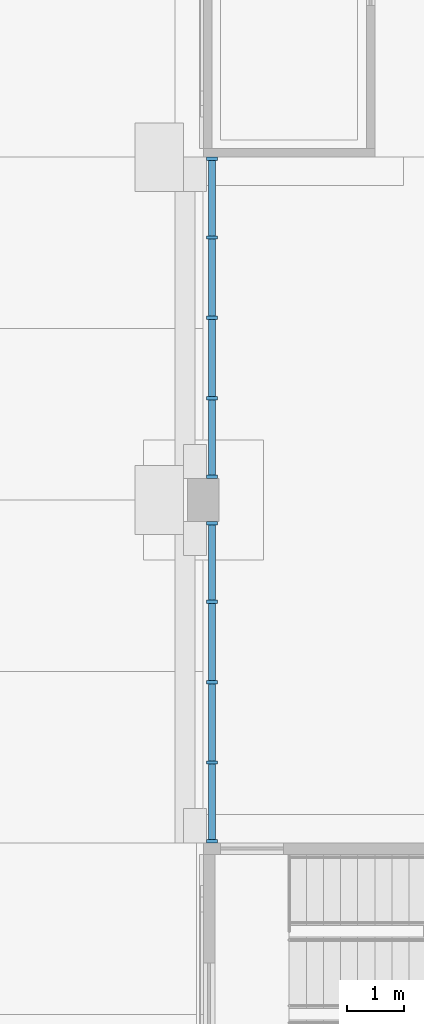
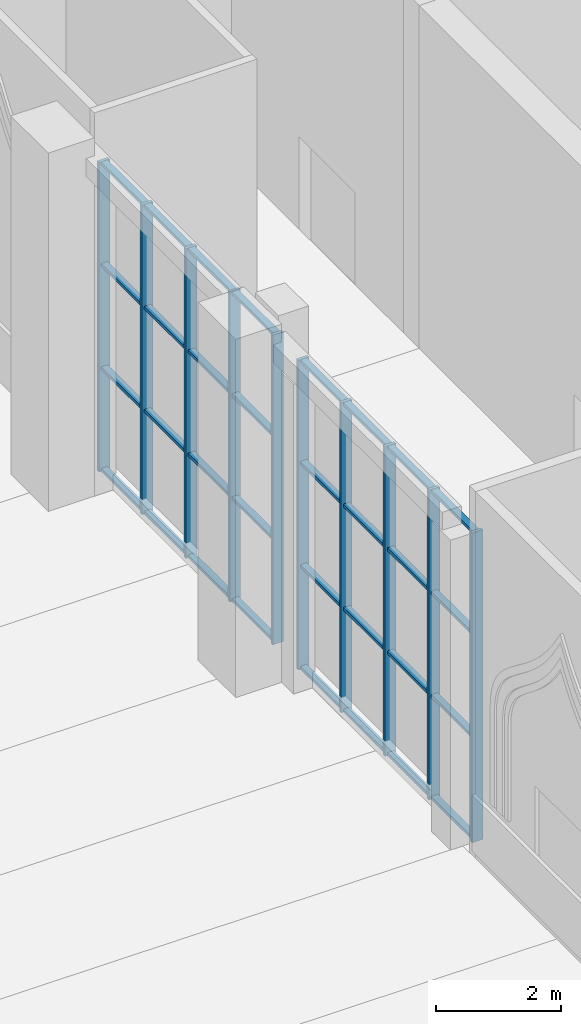
# One storey, part 22 of 95: 42 members, 2 elements without a shape of their own.
"""IFC4 building model written with IfcOpenShell, lengths in metres."""

import ifcopenshell
import ifcopenshell.guid

model = None  # the IFC model being written
_history = None  # IfcOwnerHistory: only IFC2X3 demands one
_inside = {}  # id of a spatial element -> (the spatial element, [elements in it])
_under = {}  # id of a project, library or spatial element -> (it, [spatial elements below it])
_declared = {}  # id of a project -> (the project, [libraries it declares])
_typed = {}  # id of a type object -> (the type object, [elements of that type])
_made_of = {}  # id of a material, layer set ... -> (it, [elements and type objects made of it])


def new_model(schema):
    """Start an empty IFC model of exactly this schema.

    Asked for "IFC4X3", IfcOpenShell would pick the latest addendum, in which some entities
    have other attributes; the version numbers below select the first issue.
    IFC2X3 requires an IfcOwnerHistory on every rooted entity: one is made here for all.
    """
    global model, _history
    if schema == "IFC4X3":
        model = ifcopenshell.file(schema_version=(4, 3, 0, 0))
    else:
        model = ifcopenshell.file(schema=schema)
    _inside.clear()
    _under.clear()
    _declared.clear()
    _typed.clear()
    _made_of.clear()
    _history = None
    if model.schema == "IFC2X3":
        org = make("IfcOrganization", Name="unknown")
        user = make(
            "IfcPersonAndOrganization",
            ThePerson=make("IfcPerson", FamilyName="unknown"),
            TheOrganization=org,
        )
        app = make(
            "IfcApplication",
            ApplicationDeveloper=org,
            Version="unknown",
            ApplicationFullName="unknown",
            ApplicationIdentifier="unknown",
        )
        _history = make(
            "IfcOwnerHistory",
            OwningUser=user,
            OwningApplication=app,
            ChangeAction="ADDED",
            CreationDate=0,
        )
    return model


def make(cls, **values):
    """One entity of the class cls with the attributes given. An attribute that is None is left unset."""
    return model.create_entity(
        cls, **{name: value for name, value in values.items() if value is not None}
    )


def rooted(cls, **values):
    """An entity with a GlobalId (a new one), such as an element, a storey or a relation."""
    return make(cls, GlobalId=ifcopenshell.guid.new(), OwnerHistory=_history, **values)


def si_unit(unit_type, name, prefix=None):
    """IfcSIUnit, for example si_unit("LENGTHUNIT", "METRE", prefix="MILLI")."""
    return make("IfcSIUnit", UnitType=unit_type, Prefix=prefix, Name=name)


def assignment(units):
    """IfcUnitAssignment: the units of a project."""
    return None if units is None else make("IfcUnitAssignment", Units=units)


def point(xyz):
    """IfcCartesianPoint."""
    return None if xyz is None else make("IfcCartesianPoint", Coordinates=xyz)


def direction(xyz):
    """IfcDirection."""
    return None if xyz is None else make("IfcDirection", DirectionRatios=xyz)


def frame(location, z_axis=None, x_axis=None):
    """IfcAxis2Placement3D, a coordinate frame: its origin and axes. An axis left out is left unset."""
    return make(
        "IfcAxis2Placement3D",
        Location=point(location),
        Axis=direction(z_axis),
        RefDirection=direction(x_axis),
    )


def frame_2d(location, x_axis=None):
    """IfcAxis2Placement2D, a coordinate frame in the plane: its origin and x axis."""
    return make(
        "IfcAxis2Placement2D", Location=point(location), RefDirection=direction(x_axis)
    )


def origin():
    """The frame at (0, 0, 0) with its axes left unset."""
    return frame((0.0, 0.0, 0.0))


def origin_2d():
    """The frame at (0, 0) in the plane with its x axis left unset."""
    return frame_2d((0.0, 0.0))


def place(relative_to, where):
    """IfcLocalPlacement: puts the frame where relative to a parent placement (None: the world)."""
    return make(
        "IfcLocalPlacement", PlacementRelTo=relative_to, RelativePlacement=where
    )


def context(
    kind, dimensions, precision=None, world=None, true_north=None, identifier=None
):
    """IfcGeometricRepresentationContext, for example the 3D "Model" context."""
    return make(
        "IfcGeometricRepresentationContext",
        ContextIdentifier=identifier,
        ContextType=kind,
        CoordinateSpaceDimension=dimensions,
        Precision=precision,
        WorldCoordinateSystem=world,
        TrueNorth=true_north,
    )


def subcontext(parent, identifier, kind, view, scale=None):
    """IfcGeometricRepresentationSubContext, for example "Body" below "Model"."""
    return make(
        "IfcGeometricRepresentationSubContext",
        ContextIdentifier=identifier,
        ContextType=kind,
        ParentContext=parent,
        TargetScale=scale,
        TargetView=view,
    )


def project(units=None, contexts=None):
    """IfcProject with its units and contexts."""
    return rooted(
        "IfcProject",
        Name="project",
        RepresentationContexts=contexts,
        UnitsInContext=assignment(units),
    )


def spatial(cls, under=None, at=None, **own):
    """A site, building, storey or space (cls), placed at a placement, below another one or the project."""
    s = rooted(cls, ObjectPlacement=at, **own)
    if under is not None:
        _under.setdefault(under.id(), (under, []))[1].append(s)
    return s


def profile(cls, at=None, kind="AREA", **sizes):
    """A parametric profile (cls). Its sizes go by their IFC names, for example OverallWidth=200.0."""
    return make(cls, ProfileType=kind, Position=at, **sizes)


def rectangle(**sizes):
    """IfcRectangleProfileDef."""
    return profile("IfcRectangleProfileDef", **sizes)


def extrude(swept, where, along, depth):
    """IfcExtrudedAreaSolid: the profile swept, set in the frame where, extruded along a direction by depth."""
    return make(
        "IfcExtrudedAreaSolid",
        SweptArea=swept,
        Position=where,
        ExtrudedDirection=direction(along),
        Depth=depth,
    )


def shape(context_of_items, identifier, shape_type, items):
    """IfcShapeRepresentation: the items that make up one representation, for example the "Body"."""
    return make(
        "IfcShapeRepresentation",
        ContextOfItems=context_of_items,
        RepresentationIdentifier=identifier,
        RepresentationType=shape_type,
        Items=items,
    )


def material(Name=None, Category=None):
    """IfcMaterial."""
    return make("IfcMaterial", Name=Name, Category=Category)


def material_profile(
    of_material, cross_section, Name=None, Category=None, Priority=None
):
    """IfcMaterialProfile: a cross section and its material."""
    return make(
        "IfcMaterialProfile",
        Name=Name,
        Material=of_material,
        Profile=cross_section,
        Priority=Priority,
        Category=Category,
    )


def profile_set(profiles, Name=None, composite=None):
    """IfcMaterialProfileSet."""
    return make(
        "IfcMaterialProfileSet",
        Name=Name,
        MaterialProfiles=profiles,
        CompositeProfile=composite,
    )


def made_of(thing, what):
    """Note that an element or type object is made of a material, layer set ...; save() writes the relation."""
    if what is not None:
        _made_of.setdefault(what.id(), (what, []))[1].append(thing)
    return thing


def type_object(cls, material=None, **own):
    """A type object (cls), such as IfcWallType, which elements share."""
    return made_of(rooted(cls, **own), material)


def element(
    cls,
    number,
    at=None,
    inside=None,
    cuts=None,
    type_object=None,
    material=None,
    context=None,
    identifier="Body",
    shape_type=None,
    held_by="IfcProductDefinitionShape",
    body=None,
    shapes=None,
    **own,
):
    """One element of the class cls, such as IfcWall. Its Tag is "e" and its number.

    at: its placement. inside: the storey or other place that contains it. cuts: it is an
    opening in that element (IfcRelVoidsElement). A single representation is given by context,
    identifier, shape_type and body (its items); several are given by shapes. held_by: the class
    of the entity that holds the representations. save() writes the other relations.
    """
    e = rooted(cls, Tag="e%d" % number, ObjectPlacement=at, **own)
    if body is not None:
        shapes = [shape(context, identifier, shape_type, body)]
    if shapes is not None:
        e.Representation = make(held_by, Representations=shapes)
    if inside is not None:
        _inside.setdefault(inside.id(), (inside, []))[1].append(e)
    if cuts is not None:
        rooted(
            "IfcRelVoidsElement", RelatingBuildingElement=cuts, RelatedOpeningElement=e
        )
    if type_object is not None:
        _typed.setdefault(type_object.id(), (type_object, []))[1].append(e)
    return made_of(e, material)


def aggregate(whole, parts):
    """IfcRelAggregates: a whole, such as a stair, and the parts it consists of."""
    return rooted("IfcRelAggregates", RelatingObject=whole, RelatedObjects=parts)


def save(model, path):
    """Write the relations noted so far, then the file.

    IfcRelAggregates (storeys below a building ...), IfcRelContainedInSpatialStructure (elements
    in a storey), IfcRelDefinesByType, IfcRelAssociatesMaterial and IfcRelDeclares: one each for
    every whole, place, type object, material and project.
    """
    for whole, parts in _under.values():
        aggregate(whole, parts)
    for where, things in _inside.values():
        rooted(
            "IfcRelContainedInSpatialStructure",
            RelatedElements=things,
            RelatingStructure=where,
        )
    for kind, things in _typed.values():
        rooted("IfcRelDefinesByType", RelatedObjects=things, RelatingType=kind)
    for what, things in _made_of.values():
        rooted("IfcRelAssociatesMaterial", RelatedObjects=things, RelatingMaterial=what)
    for by, libraries in _declared.values():
        rooted("IfcRelDeclares", RelatingContext=by, RelatedDefinitions=libraries)
    model.write(path)


model = new_model("IFC4")

# Units and contexts
model_context = context("Model", 3, precision=1e-05, world=origin(), true_north=direction((0.0, 1.0)))
body_context = subcontext(model_context, "Body", "Model", "MODEL_VIEW")
ifc_project = project(units=[si_unit("LENGTHUNIT", "METRE"), si_unit("AREAUNIT", "SQUARE_METRE"), si_unit("VOLUMEUNIT", "CUBIC_METRE"), si_unit("PLANEANGLEUNIT", "RADIAN"), si_unit("MASSUNIT", "GRAM", prefix="KILO")], contexts=[model_context])

# Site, building, storey
site_placement = place(None, origin())
site = spatial("IfcSite", under=ifc_project, at=site_placement, CompositionType="ELEMENT")
building_placement = place(site_placement, origin())
building = spatial("IfcBuilding", under=site, at=building_placement, Name="Saffron Lane Theatres", CompositionType="ELEMENT")
storey_placement = place(building_placement, origin())
storey = spatial("IfcBuildingStorey", under=building, at=storey_placement, Name="L00", CompositionType="ELEMENT", Elevation=0.0)

# Curtain wall, members
ifc_material_1 = material(Name="Aluminium", Category="aluminium")
curtain_wall_type = type_object("IfcCurtainWallType", Name="EX-CURTAIN WALL 5620x6050x200", PredefinedType="NOTDEFINED", material=ifc_material_1)
curtain_wall_1_placement = place(storey_placement, origin())
curtain_wall_1 = element("IfcCurtainWall", 1, at=curtain_wall_1_placement, inside=storey, type_object=curtain_wall_type, Name="Curtain wall L00 01", PredefinedType="NOTDEFINED")
ifc_material_2 = material(Name="Aluminium", Category="aluminium")
ifc_material_profile_1 = material_profile(ifc_material_2, rectangle(XDim=0.06005859375, YDim=0.199951171875, at=origin_2d()))
ifc_profile_set_1 = profile_set([ifc_material_profile_1], Name="Aluminium")
member_type_1 = type_object("IfcMemberType", Name="EX-CW MULLION 60x200", PredefinedType="MULLION", material=ifc_profile_set_1)
member_1_placement = place(storey_placement, frame((12.14990234375, 42.030029296875, 0.0), z_axis=(0.0, 0.0, 1.0), x_axis=(0.0, 1.0, 0.0)))
member_1 = element("IfcMember", 2, at=member_1_placement, type_object=member_type_1, Name="CW-00-01 mullion 1", PredefinedType="MULLION", context=body_context, shape_type="SweptSolid", body=[
    extrude(rectangle(XDim=0.06005859375, YDim=0.199951171875, at=origin_2d()), origin(), (0.0, 0.0, 1.0), 6.050048828125),
])
member_2_placement = place(storey_placement, frame((12.14990234375, 43.40625, 0.0), z_axis=(0.0, 0.0, 1.0), x_axis=(0.0, 1.0, 0.0)))
member_2 = element("IfcMember", 3, at=member_2_placement, type_object=member_type_1, Name="CW-00-01 mullion 2", PredefinedType="MULLION", context=body_context, shape_type="SweptSolid", body=[
    extrude(rectangle(XDim=0.06005859375, YDim=0.199951171875, at=origin_2d()), origin(), (0.0, 0.0, 1.0), 6.050048828125),
])
member_3_placement = place(storey_placement, frame((12.14990234375, 44.8125, 0.0), z_axis=(0.0, 0.0, 1.0), x_axis=(0.0, 1.0, 0.0)))
member_3 = element("IfcMember", 4, at=member_3_placement, type_object=member_type_1, Name="CW-00-01 mullion 3", PredefinedType="MULLION", context=body_context, shape_type="SweptSolid", body=[
    extrude(rectangle(XDim=0.06005859375, YDim=0.199951171875, at=origin_2d()), origin(), (0.0, 0.0, 1.0), 6.050048828125),
])
member_4_placement = place(storey_placement, frame((12.14990234375, 46.21875, 0.0), z_axis=(0.0, 0.0, 1.0), x_axis=(0.0, 1.0, 0.0)))
member_4 = element("IfcMember", 5, at=member_4_placement, type_object=member_type_1, Name="CW-00-01 mullion 4", PredefinedType="MULLION", context=body_context, shape_type="SweptSolid", body=[
    extrude(rectangle(XDim=0.06005859375, YDim=0.199951171875, at=origin_2d()), origin(), (0.0, 0.0, 1.0), 6.050048828125),
])
member_5_placement = place(storey_placement, frame((12.14990234375, 47.594970703125, 0.0), z_axis=(0.0, 0.0, 1.0), x_axis=(0.0, 1.0, 0.0)))
member_5 = element("IfcMember", 6, at=member_5_placement, type_object=member_type_1, Name="CW-00-01 mullion 5", PredefinedType="MULLION", context=body_context, shape_type="SweptSolid", body=[
    extrude(rectangle(XDim=0.06005859375, YDim=0.199951171875, at=origin_2d()), origin(), (0.0, 0.0, 1.0), 6.050048828125),
])

curtain_wall_2_placement = place(storey_placement, origin())
curtain_wall_2 = element("IfcCurtainWall", 7, at=curtain_wall_2_placement, inside=storey, type_object=curtain_wall_type, Name="Curtain wall L00 02", PredefinedType="NOTDEFINED")
member_6_placement = place(storey_placement, frame((12.14990234375, 48.405029296875, 0.0), z_axis=(0.0, 0.0, 1.0), x_axis=(0.0, 1.0, 0.0)))
member_6 = element("IfcMember", 8, at=member_6_placement, type_object=member_type_1, Name="CW-00-02 mullion 1", PredefinedType="MULLION", context=body_context, shape_type="SweptSolid", body=[
    extrude(rectangle(XDim=0.06005859375, YDim=0.199951171875, at=origin_2d()), origin(), (0.0, 0.0, 1.0), 6.050048828125),
])
member_7_placement = place(storey_placement, frame((12.14990234375, 49.78125, 0.0), z_axis=(0.0, 0.0, 1.0), x_axis=(0.0, 1.0, 0.0)))
member_7 = element("IfcMember", 9, at=member_7_placement, type_object=member_type_1, Name="CW-00-02 mullion 2", PredefinedType="MULLION", context=body_context, shape_type="SweptSolid", body=[
    extrude(rectangle(XDim=0.06005859375, YDim=0.199951171875, at=origin_2d()), origin(), (0.0, 0.0, 1.0), 6.050048828125),
])
member_8_placement = place(storey_placement, frame((12.14990234375, 51.1875, 0.0), z_axis=(0.0, 0.0, 1.0), x_axis=(0.0, 1.0, 0.0)))
member_8 = element("IfcMember", 10, at=member_8_placement, type_object=member_type_1, Name="CW-00-02 mullion 3", PredefinedType="MULLION", context=body_context, shape_type="SweptSolid", body=[
    extrude(rectangle(XDim=0.06005859375, YDim=0.199951171875, at=origin_2d()), origin(), (0.0, 0.0, 1.0), 6.050048828125),
])
member_9_placement = place(storey_placement, frame((12.14990234375, 52.59375, 0.0), z_axis=(0.0, 0.0, 1.0), x_axis=(0.0, 1.0, 0.0)))
member_9 = element("IfcMember", 11, at=member_9_placement, type_object=member_type_1, Name="CW-00-02 mullion 4", PredefinedType="MULLION", context=body_context, shape_type="SweptSolid", body=[
    extrude(rectangle(XDim=0.06005859375, YDim=0.199951171875, at=origin_2d()), origin(), (0.0, 0.0, 1.0), 6.050048828125),
])
member_10_placement = place(storey_placement, frame((12.14990234375, 53.969970703125, 0.0), z_axis=(0.0, 0.0, 1.0), x_axis=(0.0, 1.0, 0.0)))
member_10 = element("IfcMember", 12, at=member_10_placement, type_object=member_type_1, Name="CW-00-02 mullion 5", PredefinedType="MULLION", context=body_context, shape_type="SweptSolid", body=[
    extrude(rectangle(XDim=0.06005859375, YDim=0.199951171875, at=origin_2d()), origin(), (0.0, 0.0, 1.0), 6.050048828125),
])

# Member
ifc_material_3 = material(Name="Aluminium", Category="aluminium")
ifc_material_profile_2 = material_profile(ifc_material_3, rectangle(XDim=0.1201171875, YDim=0.06005859375, at=origin_2d()))
ifc_profile_set_2 = profile_set([ifc_material_profile_2], Name="Aluminium")
member_type_2 = type_object("IfcMemberType", Name="EX-CW TRANSOM 120x60", PredefinedType="USERDEFINED", material=ifc_profile_set_2)
member_11_placement = place(storey_placement, frame((12.14990234375, 42.06005859375, 0.030029296875), z_axis=(0.0, 1.0, 0.0), x_axis=(-1.0, 0.0, 0.0)))
member_11 = element("IfcMember", 13, at=member_11_placement, type_object=member_type_2, Name="CW-00-01 transom 1.1", ObjectType="TRANSOM", PredefinedType="USERDEFINED", context=body_context, shape_type="SweptSolid", body=[
    extrude(rectangle(XDim=0.1201171875, YDim=0.06005859375, at=origin_2d()), origin(), (0.0, 0.0, 1.0), 1.316162109375),
])

member_12_placement = place(storey_placement, frame((12.14990234375, 42.06005859375, 2.0166015625), z_axis=(0.0, 1.0, 0.0), x_axis=(-1.0, 0.0, 0.0)))
member_12 = element("IfcMember", 14, at=member_12_placement, type_object=member_type_2, Name="CW-00-01 transom 1.2", ObjectType="TRANSOM", PredefinedType="USERDEFINED", context=body_context, shape_type="SweptSolid", body=[
    extrude(rectangle(XDim=0.1201171875, YDim=0.06005859375, at=origin_2d()), origin(), (0.0, 0.0, 1.0), 1.316162109375),
])

member_13_placement = place(storey_placement, frame((12.14990234375, 42.06005859375, 4.033447265625), z_axis=(0.0, 1.0, 0.0), x_axis=(-1.0, 0.0, 0.0)))
member_13 = element("IfcMember", 15, at=member_13_placement, type_object=member_type_2, Name="CW-00-01 transom 1.3", ObjectType="TRANSOM", PredefinedType="USERDEFINED", context=body_context, shape_type="SweptSolid", body=[
    extrude(rectangle(XDim=0.1201171875, YDim=0.06005859375, at=origin_2d()), origin(), (0.0, 0.0, 1.0), 1.316162109375),
])

member_14_placement = place(storey_placement, frame((12.14990234375, 42.06005859375, 6.02001953125), z_axis=(0.0, 1.0, 0.0), x_axis=(-1.0, 0.0, 0.0)))
member_14 = element("IfcMember", 16, at=member_14_placement, type_object=member_type_2, Name="CW-00-01 transom 1.4", ObjectType="TRANSOM", PredefinedType="USERDEFINED", context=body_context, shape_type="SweptSolid", body=[
    extrude(rectangle(XDim=0.1201171875, YDim=0.06005859375, at=origin_2d()), origin(), (0.0, 0.0, 1.0), 1.316162109375),
])

member_15_placement = place(storey_placement, frame((12.14990234375, 43.436279296875, 0.030029296875), z_axis=(0.0, 1.0, 0.0), x_axis=(-1.0, 0.0, 0.0)))
member_15 = element("IfcMember", 17, at=member_15_placement, type_object=member_type_2, Name="CW-00-01 transom 2.1", ObjectType="TRANSOM", PredefinedType="USERDEFINED", context=body_context, shape_type="SweptSolid", body=[
    extrude(rectangle(XDim=0.1201171875, YDim=0.06005859375, at=origin_2d()), origin(), (0.0, 0.0, 1.0), 1.34619140625),
])

member_16_placement = place(storey_placement, frame((12.14990234375, 43.436279296875, 2.0166015625), z_axis=(0.0, 1.0, 0.0), x_axis=(-1.0, 0.0, 0.0)))
member_16 = element("IfcMember", 18, at=member_16_placement, type_object=member_type_2, Name="CW-00-01 transom 2.2", ObjectType="TRANSOM", PredefinedType="USERDEFINED", context=body_context, shape_type="SweptSolid", body=[
    extrude(rectangle(XDim=0.1201171875, YDim=0.06005859375, at=origin_2d()), origin(), (0.0, 0.0, 1.0), 1.34619140625),
])

member_17_placement = place(storey_placement, frame((12.14990234375, 43.436279296875, 4.033447265625), z_axis=(0.0, 1.0, 0.0), x_axis=(-1.0, 0.0, 0.0)))
member_17 = element("IfcMember", 19, at=member_17_placement, type_object=member_type_2, Name="CW-00-01 transom 2.3", ObjectType="TRANSOM", PredefinedType="USERDEFINED", context=body_context, shape_type="SweptSolid", body=[
    extrude(rectangle(XDim=0.1201171875, YDim=0.06005859375, at=origin_2d()), origin(), (0.0, 0.0, 1.0), 1.34619140625),
])

member_18_placement = place(storey_placement, frame((12.14990234375, 43.436279296875, 6.02001953125), z_axis=(0.0, 1.0, 0.0), x_axis=(-1.0, 0.0, 0.0)))
member_18 = element("IfcMember", 20, at=member_18_placement, type_object=member_type_2, Name="CW-00-01 transom 2.4", ObjectType="TRANSOM", PredefinedType="USERDEFINED", context=body_context, shape_type="SweptSolid", body=[
    extrude(rectangle(XDim=0.1201171875, YDim=0.06005859375, at=origin_2d()), origin(), (0.0, 0.0, 1.0), 1.34619140625),
])

member_19_placement = place(storey_placement, frame((12.14990234375, 44.842529296875, 0.030029296875), z_axis=(0.0, 1.0, 0.0), x_axis=(-1.0, 0.0, 0.0)))
member_19 = element("IfcMember", 21, at=member_19_placement, type_object=member_type_2, Name="CW-00-01 transom 3.1", ObjectType="TRANSOM", PredefinedType="USERDEFINED", context=body_context, shape_type="SweptSolid", body=[
    extrude(rectangle(XDim=0.1201171875, YDim=0.06005859375, at=origin_2d()), origin(), (0.0, 0.0, 1.0), 1.34619140625),
])

member_20_placement = place(storey_placement, frame((12.14990234375, 44.842529296875, 2.0166015625), z_axis=(0.0, 1.0, 0.0), x_axis=(-1.0, 0.0, 0.0)))
member_20 = element("IfcMember", 22, at=member_20_placement, type_object=member_type_2, Name="CW-00-01 transom 3.2", ObjectType="TRANSOM", PredefinedType="USERDEFINED", context=body_context, shape_type="SweptSolid", body=[
    extrude(rectangle(XDim=0.1201171875, YDim=0.06005859375, at=origin_2d()), origin(), (0.0, 0.0, 1.0), 1.34619140625),
])

member_21_placement = place(storey_placement, frame((12.14990234375, 44.842529296875, 4.033447265625), z_axis=(0.0, 1.0, 0.0), x_axis=(-1.0, 0.0, 0.0)))
member_21 = element("IfcMember", 23, at=member_21_placement, type_object=member_type_2, Name="CW-00-01 transom 3.3", ObjectType="TRANSOM", PredefinedType="USERDEFINED", context=body_context, shape_type="SweptSolid", body=[
    extrude(rectangle(XDim=0.1201171875, YDim=0.06005859375, at=origin_2d()), origin(), (0.0, 0.0, 1.0), 1.34619140625),
])

member_22_placement = place(storey_placement, frame((12.14990234375, 44.842529296875, 6.02001953125), z_axis=(0.0, 1.0, 0.0), x_axis=(-1.0, 0.0, 0.0)))
member_22 = element("IfcMember", 24, at=member_22_placement, type_object=member_type_2, Name="CW-00-01 transom 3.4", ObjectType="TRANSOM", PredefinedType="USERDEFINED", context=body_context, shape_type="SweptSolid", body=[
    extrude(rectangle(XDim=0.1201171875, YDim=0.06005859375, at=origin_2d()), origin(), (0.0, 0.0, 1.0), 1.34619140625),
])

member_23_placement = place(storey_placement, frame((12.14990234375, 46.248779296875, 0.030029296875), z_axis=(0.0, 1.0, 0.0), x_axis=(-1.0, 0.0, 0.0)))
member_23 = element("IfcMember", 25, at=member_23_placement, type_object=member_type_2, Name="CW-00-01 transom 4.1", ObjectType="TRANSOM", PredefinedType="USERDEFINED", context=body_context, shape_type="SweptSolid", body=[
    extrude(rectangle(XDim=0.1201171875, YDim=0.06005859375, at=origin_2d()), origin(), (0.0, 0.0, 1.0), 1.316162109375),
])

member_24_placement = place(storey_placement, frame((12.14990234375, 46.248779296875, 2.0166015625), z_axis=(0.0, 1.0, 0.0), x_axis=(-1.0, 0.0, 0.0)))
member_24 = element("IfcMember", 26, at=member_24_placement, type_object=member_type_2, Name="CW-00-01 transom 4.2", ObjectType="TRANSOM", PredefinedType="USERDEFINED", context=body_context, shape_type="SweptSolid", body=[
    extrude(rectangle(XDim=0.1201171875, YDim=0.06005859375, at=origin_2d()), origin(), (0.0, 0.0, 1.0), 1.316162109375),
])

member_25_placement = place(storey_placement, frame((12.14990234375, 46.248779296875, 4.033447265625), z_axis=(0.0, 1.0, 0.0), x_axis=(-1.0, 0.0, 0.0)))
member_25 = element("IfcMember", 27, at=member_25_placement, type_object=member_type_2, Name="CW-00-01 transom 4.3", ObjectType="TRANSOM", PredefinedType="USERDEFINED", context=body_context, shape_type="SweptSolid", body=[
    extrude(rectangle(XDim=0.1201171875, YDim=0.06005859375, at=origin_2d()), origin(), (0.0, 0.0, 1.0), 1.316162109375),
])

member_26_placement = place(storey_placement, frame((12.14990234375, 46.248779296875, 6.02001953125), z_axis=(0.0, 1.0, 0.0), x_axis=(-1.0, 0.0, 0.0)))
member_26 = element("IfcMember", 28, at=member_26_placement, type_object=member_type_2, Name="CW-00-01 transom 4.4", ObjectType="TRANSOM", PredefinedType="USERDEFINED", context=body_context, shape_type="SweptSolid", body=[
    extrude(rectangle(XDim=0.1201171875, YDim=0.06005859375, at=origin_2d()), origin(), (0.0, 0.0, 1.0), 1.316162109375),
])

aggregate(curtain_wall_1, [member_1, member_2, member_3, member_4, member_5, member_11, member_12, member_13, member_14, member_15, member_16, member_17, member_18, member_19, member_20, member_21, member_22, member_23, member_24, member_25, member_26])

member_27_placement = place(storey_placement, frame((12.14990234375, 48.43505859375, 0.030029296875), z_axis=(0.0, 1.0, 0.0), x_axis=(-1.0, 0.0, 0.0)))
member_27 = element("IfcMember", 29, at=member_27_placement, type_object=member_type_2, Name="CW-00-02 transom 1.1", ObjectType="TRANSOM", PredefinedType="USERDEFINED", context=body_context, shape_type="SweptSolid", body=[
    extrude(rectangle(XDim=0.1201171875, YDim=0.06005859375, at=origin_2d()), origin(), (0.0, 0.0, 1.0), 1.316162109375),
])

member_28_placement = place(storey_placement, frame((12.14990234375, 48.43505859375, 2.0166015625), z_axis=(0.0, 1.0, 0.0), x_axis=(-1.0, 0.0, 0.0)))
member_28 = element("IfcMember", 30, at=member_28_placement, type_object=member_type_2, Name="CW-00-02 transom 1.2", ObjectType="TRANSOM", PredefinedType="USERDEFINED", context=body_context, shape_type="SweptSolid", body=[
    extrude(rectangle(XDim=0.1201171875, YDim=0.06005859375, at=origin_2d()), origin(), (0.0, 0.0, 1.0), 1.316162109375),
])

member_29_placement = place(storey_placement, frame((12.14990234375, 48.43505859375, 4.033447265625), z_axis=(0.0, 1.0, 0.0), x_axis=(-1.0, 0.0, 0.0)))
member_29 = element("IfcMember", 31, at=member_29_placement, type_object=member_type_2, Name="CW-00-02 transom 1.3", ObjectType="TRANSOM", PredefinedType="USERDEFINED", context=body_context, shape_type="SweptSolid", body=[
    extrude(rectangle(XDim=0.1201171875, YDim=0.06005859375, at=origin_2d()), origin(), (0.0, 0.0, 1.0), 1.316162109375),
])

member_30_placement = place(storey_placement, frame((12.14990234375, 48.43505859375, 6.02001953125), z_axis=(0.0, 1.0, 0.0), x_axis=(-1.0, 0.0, 0.0)))
member_30 = element("IfcMember", 32, at=member_30_placement, type_object=member_type_2, Name="CW-00-02 transom 1.4", ObjectType="TRANSOM", PredefinedType="USERDEFINED", context=body_context, shape_type="SweptSolid", body=[
    extrude(rectangle(XDim=0.1201171875, YDim=0.06005859375, at=origin_2d()), origin(), (0.0, 0.0, 1.0), 1.316162109375),
])

member_31_placement = place(storey_placement, frame((12.14990234375, 49.811279296875, 0.030029296875), z_axis=(0.0, 1.0, 0.0), x_axis=(-1.0, 0.0, 0.0)))
member_31 = element("IfcMember", 33, at=member_31_placement, type_object=member_type_2, Name="CW-00-02 transom 2.1", ObjectType="TRANSOM", PredefinedType="USERDEFINED", context=body_context, shape_type="SweptSolid", body=[
    extrude(rectangle(XDim=0.1201171875, YDim=0.06005859375, at=origin_2d()), origin(), (0.0, 0.0, 1.0), 1.34619140625),
])

member_32_placement = place(storey_placement, frame((12.14990234375, 49.811279296875, 2.0166015625), z_axis=(0.0, 1.0, 0.0), x_axis=(-1.0, 0.0, 0.0)))
member_32 = element("IfcMember", 34, at=member_32_placement, type_object=member_type_2, Name="CW-00-02 transom 2.2", ObjectType="TRANSOM", PredefinedType="USERDEFINED", context=body_context, shape_type="SweptSolid", body=[
    extrude(rectangle(XDim=0.1201171875, YDim=0.06005859375, at=origin_2d()), origin(), (0.0, 0.0, 1.0), 1.34619140625),
])

member_33_placement = place(storey_placement, frame((12.14990234375, 49.811279296875, 4.033447265625), z_axis=(0.0, 1.0, 0.0), x_axis=(-1.0, 0.0, 0.0)))
member_33 = element("IfcMember", 35, at=member_33_placement, type_object=member_type_2, Name="CW-00-02 transom 2.3", ObjectType="TRANSOM", PredefinedType="USERDEFINED", context=body_context, shape_type="SweptSolid", body=[
    extrude(rectangle(XDim=0.1201171875, YDim=0.06005859375, at=origin_2d()), origin(), (0.0, 0.0, 1.0), 1.34619140625),
])

member_34_placement = place(storey_placement, frame((12.14990234375, 49.811279296875, 6.02001953125), z_axis=(0.0, 1.0, 0.0), x_axis=(-1.0, 0.0, 0.0)))
member_34 = element("IfcMember", 36, at=member_34_placement, type_object=member_type_2, Name="CW-00-02 transom 2.4", ObjectType="TRANSOM", PredefinedType="USERDEFINED", context=body_context, shape_type="SweptSolid", body=[
    extrude(rectangle(XDim=0.1201171875, YDim=0.06005859375, at=origin_2d()), origin(), (0.0, 0.0, 1.0), 1.34619140625),
])

member_35_placement = place(storey_placement, frame((12.14990234375, 51.217529296875, 0.030029296875), z_axis=(0.0, 1.0, 0.0), x_axis=(-1.0, 0.0, 0.0)))
member_35 = element("IfcMember", 37, at=member_35_placement, type_object=member_type_2, Name="CW-00-02 transom 3.1", ObjectType="TRANSOM", PredefinedType="USERDEFINED", context=body_context, shape_type="SweptSolid", body=[
    extrude(rectangle(XDim=0.1201171875, YDim=0.06005859375, at=origin_2d()), origin(), (0.0, 0.0, 1.0), 1.34619140625),
])

member_36_placement = place(storey_placement, frame((12.14990234375, 51.217529296875, 2.0166015625), z_axis=(0.0, 1.0, 0.0), x_axis=(-1.0, 0.0, 0.0)))
member_36 = element("IfcMember", 38, at=member_36_placement, type_object=member_type_2, Name="CW-00-02 transom 3.2", ObjectType="TRANSOM", PredefinedType="USERDEFINED", context=body_context, shape_type="SweptSolid", body=[
    extrude(rectangle(XDim=0.1201171875, YDim=0.06005859375, at=origin_2d()), origin(), (0.0, 0.0, 1.0), 1.34619140625),
])

member_37_placement = place(storey_placement, frame((12.14990234375, 51.217529296875, 4.033447265625), z_axis=(0.0, 1.0, 0.0), x_axis=(-1.0, 0.0, 0.0)))
member_37 = element("IfcMember", 39, at=member_37_placement, type_object=member_type_2, Name="CW-00-02 transom 3.3", ObjectType="TRANSOM", PredefinedType="USERDEFINED", context=body_context, shape_type="SweptSolid", body=[
    extrude(rectangle(XDim=0.1201171875, YDim=0.06005859375, at=origin_2d()), origin(), (0.0, 0.0, 1.0), 1.34619140625),
])

member_38_placement = place(storey_placement, frame((12.14990234375, 51.217529296875, 6.02001953125), z_axis=(0.0, 1.0, 0.0), x_axis=(-1.0, 0.0, 0.0)))
member_38 = element("IfcMember", 40, at=member_38_placement, type_object=member_type_2, Name="CW-00-02 transom 3.4", ObjectType="TRANSOM", PredefinedType="USERDEFINED", context=body_context, shape_type="SweptSolid", body=[
    extrude(rectangle(XDim=0.1201171875, YDim=0.06005859375, at=origin_2d()), origin(), (0.0, 0.0, 1.0), 1.34619140625),
])

member_39_placement = place(storey_placement, frame((12.14990234375, 52.623779296875, 0.030029296875), z_axis=(0.0, 1.0, 0.0), x_axis=(-1.0, 0.0, 0.0)))
member_39 = element("IfcMember", 41, at=member_39_placement, type_object=member_type_2, Name="CW-00-02 transom 4.1", ObjectType="TRANSOM", PredefinedType="USERDEFINED", context=body_context, shape_type="SweptSolid", body=[
    extrude(rectangle(XDim=0.1201171875, YDim=0.06005859375, at=origin_2d()), origin(), (0.0, 0.0, 1.0), 1.316162109375),
])

member_40_placement = place(storey_placement, frame((12.14990234375, 52.623779296875, 2.0166015625), z_axis=(0.0, 1.0, 0.0), x_axis=(-1.0, 0.0, 0.0)))
member_40 = element("IfcMember", 42, at=member_40_placement, type_object=member_type_2, Name="CW-00-02 transom 4.2", ObjectType="TRANSOM", PredefinedType="USERDEFINED", context=body_context, shape_type="SweptSolid", body=[
    extrude(rectangle(XDim=0.1201171875, YDim=0.06005859375, at=origin_2d()), origin(), (0.0, 0.0, 1.0), 1.316162109375),
])

member_41_placement = place(storey_placement, frame((12.14990234375, 52.623779296875, 4.033447265625), z_axis=(0.0, 1.0, 0.0), x_axis=(-1.0, 0.0, 0.0)))
member_41 = element("IfcMember", 43, at=member_41_placement, type_object=member_type_2, Name="CW-00-02 transom 4.3", ObjectType="TRANSOM", PredefinedType="USERDEFINED", context=body_context, shape_type="SweptSolid", body=[
    extrude(rectangle(XDim=0.1201171875, YDim=0.06005859375, at=origin_2d()), origin(), (0.0, 0.0, 1.0), 1.316162109375),
])

member_42_placement = place(storey_placement, frame((12.14990234375, 52.623779296875, 6.02001953125), z_axis=(0.0, 1.0, 0.0), x_axis=(-1.0, 0.0, 0.0)))
member_42 = element("IfcMember", 44, at=member_42_placement, type_object=member_type_2, Name="CW-00-02 transom 4.4", ObjectType="TRANSOM", PredefinedType="USERDEFINED", context=body_context, shape_type="SweptSolid", body=[
    extrude(rectangle(XDim=0.1201171875, YDim=0.06005859375, at=origin_2d()), origin(), (0.0, 0.0, 1.0), 1.316162109375),
])

aggregate(curtain_wall_2, [member_6, member_7, member_8, member_9, member_10, member_27, member_28, member_29, member_30, member_31, member_32, member_33, member_34, member_35, member_36, member_37, member_38, member_39, member_40, member_41, member_42])

save(model, "model.ifc")
